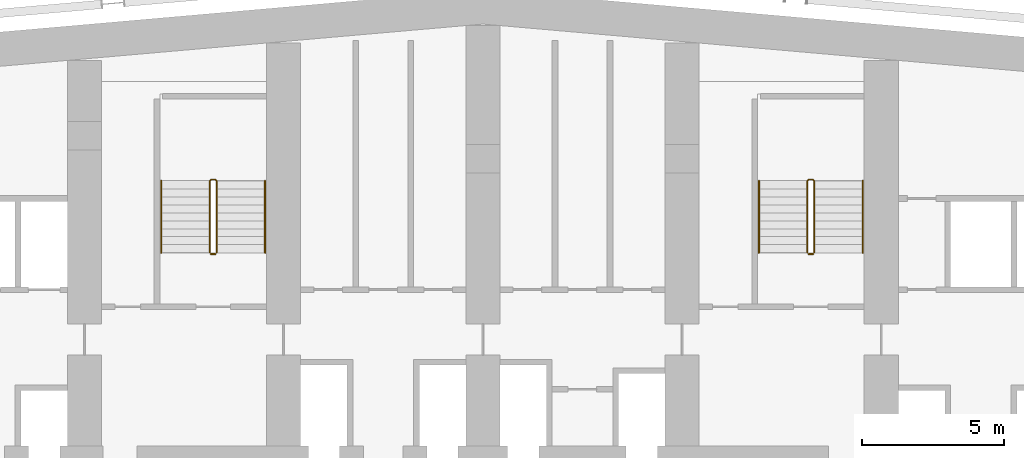
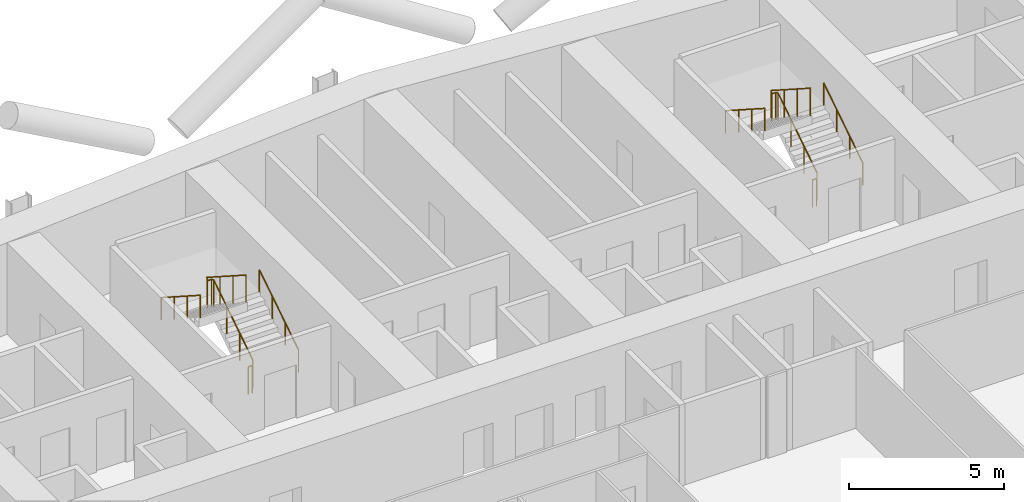
# One storey, part 26 of 27: 8 railings.
"""IFC4 building model written with IfcOpenShell, lengths in metres."""

from ifc_helpers import new_model, si_unit, direction, frame, origin, origin_2d, place, context, subcontext, project, spatial, circle, extrude, material, type_object, element, save


model = new_model("IFC4")

# Units and contexts
model_context = context("Model", 3, precision=1e-05, world=origin(), true_north=direction((0.0, 1.0)))
body_context = subcontext(model_context, "Body", "Model", "MODEL_VIEW")
ifc_project = project(units=[si_unit("LENGTHUNIT", "METRE"), si_unit("AREAUNIT", "SQUARE_METRE"), si_unit("VOLUMEUNIT", "CUBIC_METRE"), si_unit("PLANEANGLEUNIT", "RADIAN"), si_unit("MASSUNIT", "GRAM", prefix="KILO")], contexts=[model_context])

# Site, building, storey
site_placement = place(None, origin())
site = spatial("IfcSite", under=ifc_project, at=site_placement, CompositionType="ELEMENT")
building_placement = place(site_placement, origin())
building = spatial("IfcBuilding", under=site, at=building_placement, Name="Wharfspan Tower", CompositionType="ELEMENT")
storey_placement = place(building_placement, frame((0.0, 0.0, 84.699951)))
storey = spatial("IfcBuildingStorey", under=building, at=storey_placement, Name="L18", CompositionType="ELEMENT", Elevation=84.699951)

# Railings
ifc_material = material(Name="Steel S355J2", Category="steel")
railing_type_1 = type_object("IfcRailingType", Name="Stair guard 1100", PredefinedType="GUARDRAIL", material=ifc_material)
railing_1_placement = place(storey_placement, frame((27.649902, 42.0, 0.179932)))
element("IfcRailing", 1, at=railing_1_placement, inside=storey, type_object=railing_type_1, Name="L18 ST1 stair guard 1", PredefinedType="GUARDRAIL", context=body_context, shape_type="SweptSolid", body=[
    extrude(circle(Radius=0.023926, at=origin_2d()), frame((0.0, 0.0, 1.076172), z_axis=(0.0, 0.841163, 0.540782), x_axis=(-1.0, 0.0, 0.0)), (0.0, 0.0, 1.0), 2.99585),
    extrude(circle(Radius=0.023926, at=origin_2d()), frame((0.0, 2.52002, 2.696289), z_axis=(-0.705376, 0.708834, 0.0), x_axis=(-0.708834, -0.705376, 0.0)), (0.0, 0.0, 1.0), 0.070557),
    extrude(circle(Radius=0.023926, at=origin_2d()), frame((-0.049805, 2.570068, 2.696289), z_axis=(-1.0, 0.0, 0.0), x_axis=(0.0, -1.0, 0.0)), (0.0, 0.0, 1.0), 0.150146),
    extrude(circle(Radius=0.023926, at=origin_2d()), frame((-0.199951, 2.570068, 2.696289), z_axis=(-0.258848, -0.258848, 0.930589), x_axis=(0.707107, -0.707107, 0.0)), (0.0, 0.0, 1.0), 0.193359),
    extrude(circle(Radius=0.023926, at=origin_2d()), frame((-0.25, 2.52002, 2.875977), z_axis=(0.0, -0.841163, 0.540782), x_axis=(1.0, 0.0, 0.0)), (0.0, 0.0, 1.0), 2.99585),
    extrude(circle(Radius=0.020996, at=origin_2d()), origin(), (0.0, 0.0, 1.0), 1.052002),
    extrude(circle(Radius=0.020996, at=origin_2d()), frame((0.0, 0.840088, 0.540039)), (0.0, 0.0, 1.0), 1.052002),
    extrude(circle(Radius=0.020996, at=origin_2d()), frame((0.0, 1.679932, 1.080078)), (0.0, 0.0, 1.0), 1.052002),
    extrude(circle(Radius=0.020996, at=origin_2d()), frame((0.0, 2.52002, 1.620117)), (0.0, 0.0, 1.0), 1.052002),
    extrude(circle(Radius=0.020996, at=origin_2d()), frame((-0.049805, 2.570068, 1.620117)), (0.0, 0.0, 1.0), 1.052002),
    extrude(circle(Radius=0.020996, at=origin_2d()), frame((-0.199951, 2.570068, 1.620117)), (0.0, 0.0, 1.0), 1.052002),
    extrude(circle(Radius=0.020996, at=origin_2d()), frame((-0.25, 2.52002, 1.800049)), (0.0, 0.0, 1.0), 1.052002),
    extrude(circle(Radius=0.020996, at=origin_2d()), frame((-0.25, 1.679932, 2.340088)), (0.0, 0.0, 1.0), 1.052002),
    extrude(circle(Radius=0.020996, at=origin_2d()), frame((-0.25, 0.840088, 2.880127)), (0.0, 0.0, 1.0), 1.052002),
    extrude(circle(Radius=0.020996, at=origin_2d()), frame((-0.25, 0.0, 3.420166)), (0.0, 0.0, 1.0), 1.052002),
])
railing_2_placement = place(storey_placement, frame((27.600098, 41.949951, 0.0)))
element("IfcRailing", 2, at=railing_2_placement, inside=storey, type_object=railing_type_1, Name="L18 ST1 stair guard 2", PredefinedType="GUARDRAIL", context=body_context, shape_type="SweptSolid", body=[
    extrude(circle(Radius=0.023926, at=origin_2d()), frame((0.0, 0.0, 1.076172), z_axis=(-1.0, 0.0, 0.0), x_axis=(0.0, -1.0, 0.0)), (0.0, 0.0, 1.0), 0.150146),
    extrude(circle(Radius=0.020996, at=origin_2d()), origin(), (0.0, 0.0, 1.0), 1.052002),
    extrude(circle(Radius=0.020996, at=origin_2d()), frame((-0.150146, 0.0, 0.0)), (0.0, 0.0, 1.0), 1.052002),
])
railing_3_placement = place(storey_placement, frame((48.649902, 42.0, 0.179932)))
element("IfcRailing", 3, at=railing_3_placement, inside=storey, type_object=railing_type_1, Name="L18 ST2 stair guard 1", PredefinedType="GUARDRAIL", context=body_context, shape_type="SweptSolid", body=[
    extrude(circle(Radius=0.023926, at=origin_2d()), frame((0.0, 0.0, 1.076172), z_axis=(0.0, 0.841163, 0.540782), x_axis=(-1.0, 0.0, 0.0)), (0.0, 0.0, 1.0), 2.99585),
    extrude(circle(Radius=0.023926, at=origin_2d()), frame((0.0, 2.52002, 2.696289), z_axis=(-0.705376, 0.708834, 0.0), x_axis=(-0.708834, -0.705376, 0.0)), (0.0, 0.0, 1.0), 0.070557),
    extrude(circle(Radius=0.023926, at=origin_2d()), frame((-0.049805, 2.570068, 2.696289), z_axis=(-1.0, 0.0, 0.0), x_axis=(0.0, -1.0, 0.0)), (0.0, 0.0, 1.0), 0.150146),
    extrude(circle(Radius=0.023926, at=origin_2d()), frame((-0.199951, 2.570068, 2.696289), z_axis=(-0.258848, -0.258848, 0.930589), x_axis=(0.707107, -0.707107, 0.0)), (0.0, 0.0, 1.0), 0.193359),
    extrude(circle(Radius=0.023926, at=origin_2d()), frame((-0.25, 2.52002, 2.875977), z_axis=(0.0, -0.841163, 0.540782), x_axis=(1.0, 0.0, 0.0)), (0.0, 0.0, 1.0), 2.99585),
    extrude(circle(Radius=0.020996, at=origin_2d()), origin(), (0.0, 0.0, 1.0), 1.052002),
    extrude(circle(Radius=0.020996, at=origin_2d()), frame((0.0, 0.840088, 0.540039)), (0.0, 0.0, 1.0), 1.052002),
    extrude(circle(Radius=0.020996, at=origin_2d()), frame((0.0, 1.679932, 1.080078)), (0.0, 0.0, 1.0), 1.052002),
    extrude(circle(Radius=0.020996, at=origin_2d()), frame((0.0, 2.52002, 1.620117)), (0.0, 0.0, 1.0), 1.052002),
    extrude(circle(Radius=0.020996, at=origin_2d()), frame((-0.049805, 2.570068, 1.620117)), (0.0, 0.0, 1.0), 1.052002),
    extrude(circle(Radius=0.020996, at=origin_2d()), frame((-0.199951, 2.570068, 1.620117)), (0.0, 0.0, 1.0), 1.052002),
    extrude(circle(Radius=0.020996, at=origin_2d()), frame((-0.25, 2.52002, 1.800049)), (0.0, 0.0, 1.0), 1.052002),
    extrude(circle(Radius=0.020996, at=origin_2d()), frame((-0.25, 1.679932, 2.340088)), (0.0, 0.0, 1.0), 1.052002),
    extrude(circle(Radius=0.020996, at=origin_2d()), frame((-0.25, 0.840088, 2.880127)), (0.0, 0.0, 1.0), 1.052002),
    extrude(circle(Radius=0.020996, at=origin_2d()), frame((-0.25, 0.0, 3.420166)), (0.0, 0.0, 1.0), 1.052002),
])
railing_4_placement = place(storey_placement, frame((48.600098, 41.949951, 0.0)))
element("IfcRailing", 4, at=railing_4_placement, inside=storey, type_object=railing_type_1, Name="L18 ST2 stair guard 2", PredefinedType="GUARDRAIL", context=body_context, shape_type="SweptSolid", body=[
    extrude(circle(Radius=0.023926, at=origin_2d()), frame((0.0, 0.0, 1.076172), z_axis=(-1.0, 0.0, 0.0), x_axis=(0.0, -1.0, 0.0)), (0.0, 0.0, 1.0), 0.150146),
    extrude(circle(Radius=0.020996, at=origin_2d()), origin(), (0.0, 0.0, 1.0), 1.052002),
    extrude(circle(Radius=0.020996, at=origin_2d()), frame((-0.150146, 0.0, 0.0)), (0.0, 0.0, 1.0), 1.052002),
])
railing_type_2 = type_object("IfcRailingType", Name="Stair handrail 900", PredefinedType="HANDRAIL", material=ifc_material)
railing_5_placement = place(storey_placement, frame((29.350098, 42.0, 0.179932)))
element("IfcRailing", 5, at=railing_5_placement, inside=storey, type_object=railing_type_2, Name="L18 ST1 stair handrail 1", PredefinedType="HANDRAIL", context=body_context, shape_type="SweptSolid", body=[
    extrude(circle(Radius=0.023926, at=origin_2d()), frame((0.0, 0.0, 0.875977), z_axis=(0.0, 0.841163, 0.540782), x_axis=(-1.0, 0.0, 0.0)), (0.0, 0.0, 1.0), 2.99585),
    extrude(circle(Radius=0.020996, at=origin_2d()), origin(), (0.0, 0.0, 1.0), 0.851807),
    extrude(circle(Radius=0.020996, at=origin_2d()), frame((0.0, 0.840088, 0.540039)), (0.0, 0.0, 1.0), 0.851807),
    extrude(circle(Radius=0.020996, at=origin_2d()), frame((0.0, 1.679932, 1.080078)), (0.0, 0.0, 1.0), 0.851807),
    extrude(circle(Radius=0.020996, at=origin_2d()), frame((0.0, 2.52002, 1.620117)), (0.0, 0.0, 1.0), 0.851807),
])
railing_6_placement = place(storey_placement, frame((25.699951, 44.52002, 1.97998)))
element("IfcRailing", 6, at=railing_6_placement, inside=storey, type_object=railing_type_2, Name="L18 ST1 stair handrail 2", PredefinedType="HANDRAIL", context=body_context, shape_type="SweptSolid", body=[
    extrude(circle(Radius=0.023926, at=origin_2d()), frame((0.0, 0.0, 0.875977), z_axis=(0.0, -0.841163, 0.540782), x_axis=(1.0, 0.0, 0.0)), (0.0, 0.0, 1.0), 2.99585),
    extrude(circle(Radius=0.020996, at=origin_2d()), origin(), (0.0, 0.0, 1.0), 0.851807),
    extrude(circle(Radius=0.020996, at=origin_2d()), frame((0.0, -0.840088, 0.540039)), (0.0, 0.0, 1.0), 0.851807),
    extrude(circle(Radius=0.020996, at=origin_2d()), frame((0.0, -1.679932, 1.080078)), (0.0, 0.0, 1.0), 0.851807),
    extrude(circle(Radius=0.020996, at=origin_2d()), frame((0.0, -2.52002, 1.620117)), (0.0, 0.0, 1.0), 0.851807),
])
railing_7_placement = place(storey_placement, frame((50.350098, 42.0, 0.179932)))
element("IfcRailing", 7, at=railing_7_placement, inside=storey, type_object=railing_type_2, Name="L18 ST2 stair handrail 1", PredefinedType="HANDRAIL", context=body_context, shape_type="SweptSolid", body=[
    extrude(circle(Radius=0.023926, at=origin_2d()), frame((0.0, 0.0, 0.875977), z_axis=(0.0, 0.841163, 0.540782), x_axis=(-1.0, 0.0, 0.0)), (0.0, 0.0, 1.0), 2.99585),
    extrude(circle(Radius=0.020996, at=origin_2d()), origin(), (0.0, 0.0, 1.0), 0.851807),
    extrude(circle(Radius=0.020996, at=origin_2d()), frame((0.0, 0.840088, 0.540039)), (0.0, 0.0, 1.0), 0.851807),
    extrude(circle(Radius=0.020996, at=origin_2d()), frame((0.0, 1.679932, 1.080078)), (0.0, 0.0, 1.0), 0.851807),
    extrude(circle(Radius=0.020996, at=origin_2d()), frame((0.0, 2.52002, 1.620117)), (0.0, 0.0, 1.0), 0.851807),
])
railing_8_placement = place(storey_placement, frame((46.699951, 44.52002, 1.97998)))
element("IfcRailing", 8, at=railing_8_placement, inside=storey, type_object=railing_type_2, Name="L18 ST2 stair handrail 2", PredefinedType="HANDRAIL", context=body_context, shape_type="SweptSolid", body=[
    extrude(circle(Radius=0.023926, at=origin_2d()), frame((0.0, 0.0, 0.875977), z_axis=(0.0, -0.841163, 0.540782), x_axis=(1.0, 0.0, 0.0)), (0.0, 0.0, 1.0), 2.99585),
    extrude(circle(Radius=0.020996, at=origin_2d()), origin(), (0.0, 0.0, 1.0), 0.851807),
    extrude(circle(Radius=0.020996, at=origin_2d()), frame((0.0, -0.840088, 0.540039)), (0.0, 0.0, 1.0), 0.851807),
    extrude(circle(Radius=0.020996, at=origin_2d()), frame((0.0, -1.679932, 1.080078)), (0.0, 0.0, 1.0), 0.851807),
    extrude(circle(Radius=0.020996, at=origin_2d()), frame((0.0, -2.52002, 1.620117)), (0.0, 0.0, 1.0), 0.851807),
])

save(model, "model.ifc")
